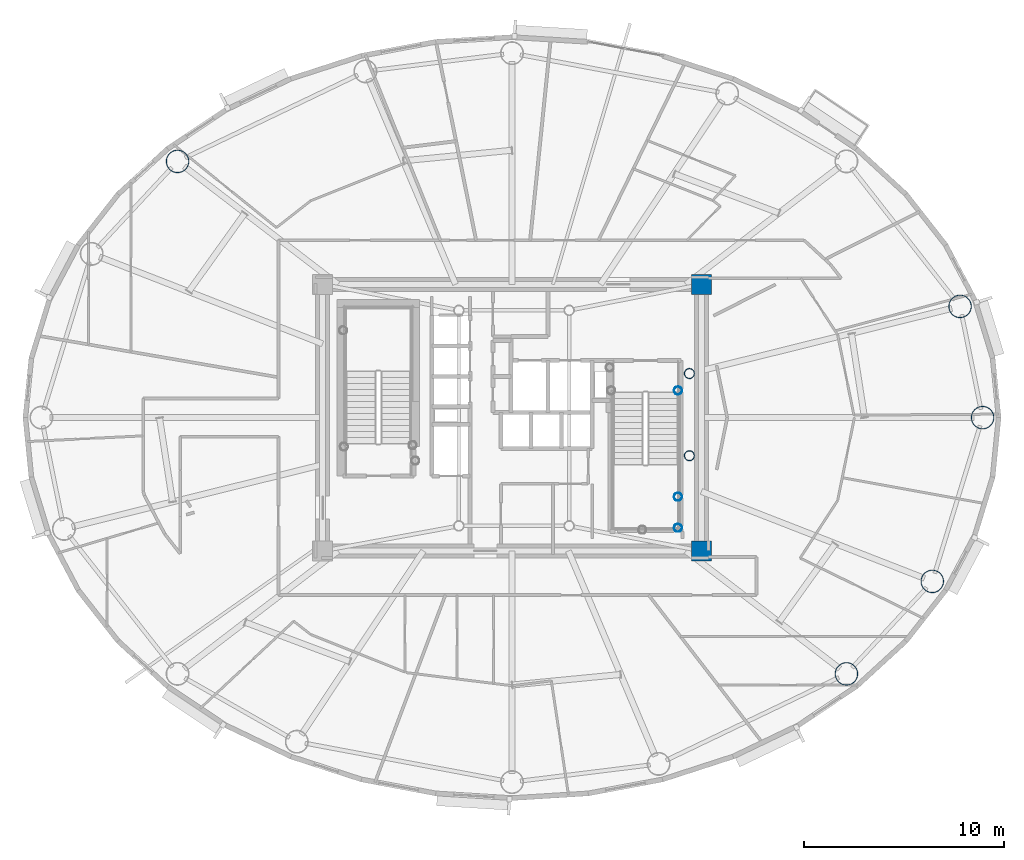
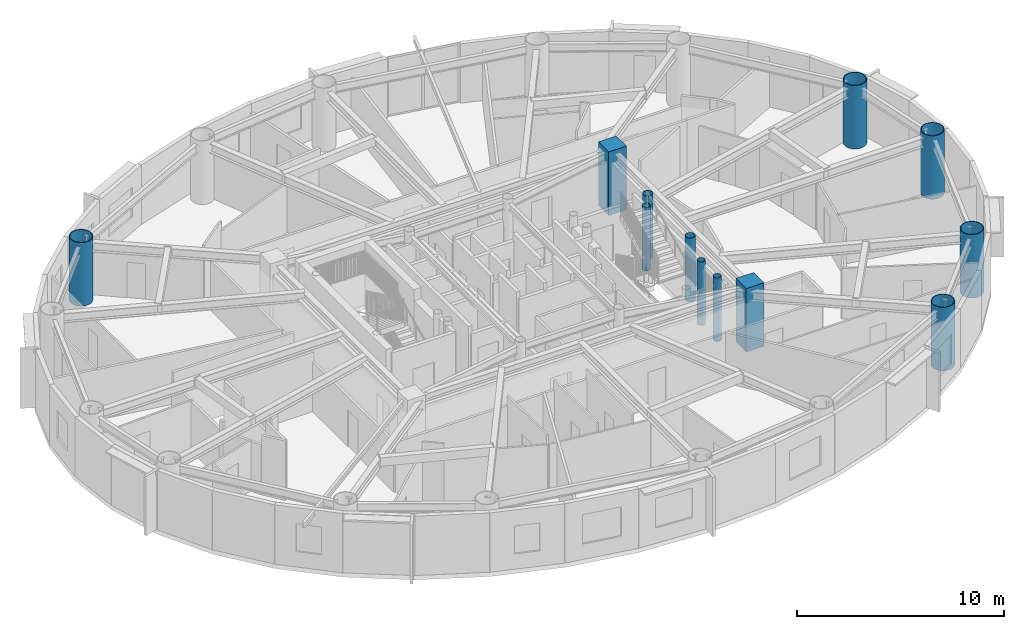
# One storey, part 2 of 21: 12 columns.
"""IFC4 building model written with IfcOpenShell, lengths in metres."""

from ifc_helpers import new_model, si_unit, direction, frame, origin, origin_2d, place, context, subcontext, project, spatial, rectangle, hollow_circle, extrude, material, material_profile, profile_set, type_object, element, save


model = new_model("IFC4")

# Units and contexts
model_context = context("Model", 3, precision=1e-05, world=origin(), true_north=direction((0.0, 1.0)))
body_context = subcontext(model_context, "Body", "Model", "MODEL_VIEW")
ifc_project = project(units=[si_unit("LENGTHUNIT", "METRE"), si_unit("AREAUNIT", "SQUARE_METRE"), si_unit("VOLUMEUNIT", "CUBIC_METRE"), si_unit("PLANEANGLEUNIT", "RADIAN"), si_unit("MASSUNIT", "GRAM", prefix="KILO")], contexts=[model_context])

# Site, building, storey
site_placement = place(None, origin())
site = spatial("IfcSite", under=ifc_project, at=site_placement, CompositionType="ELEMENT")
building_placement = place(site_placement, origin())
building = spatial("IfcBuilding", under=site, at=building_placement, Name="Linh Dai School and Residence Tower", CompositionType="ELEMENT")
storey_placement = place(building_placement, frame((0.0, 0.0, 229.050048828125)))
storey = spatial("IfcBuildingStorey", under=building, at=storey_placement, Name="L56", CompositionType="ELEMENT", Elevation=229.050048828125)

# Columns
ifc_material_1 = material(Name="Concrete B45 (C35/45)", Category="concrete")
ifc_material_profile_1 = material_profile(ifc_material_1, rectangle(XDim=1.0, YDim=1.0, at=origin_2d()), Name="RC 1000x1000")
ifc_profile_set_1 = profile_set([ifc_material_profile_1], Name="Concrete B45 (C35/45)")
column_type_1 = type_object("IfcColumnType", Name="COL-CC3", PredefinedType="COLUMN", material=ifc_profile_set_1)
for number, where, z_axis, x_axis, name in (
    (1, (45.449951171875, 20.35009765625, 0.0), (0.0, 0.0, 1.0), (1.0, 0.0, 0.0), "L56 Core Corner Pier CC2"),
    (2, (45.449951171875, 33.64990234375, 0.0), (0.0, 0.0, 1.0), (1.0, 0.0, 0.0), "L56 Core Corner Pier CC3"),
):
    element("IfcColumn", number, at=place(storey_placement, frame(where, z_axis=z_axis, x_axis=x_axis)), inside=storey, type_object=column_type_1, Name=name, PredefinedType="COLUMN", context=body_context, shape_type="SweptSolid", body=[
        extrude(rectangle(XDim=1.0, YDim=1.0, at=origin_2d()), origin(), (0.0, 0.0, 1.0), 3.75),
    ])
ifc_material_2 = material(Name="Structural Steel S355JR", Category="steel")
ifc_material_profile_2 = material_profile(ifc_material_2, hollow_circle(Radius=0.203125, WallThickness=0.01611328125, at=origin_2d()), Name="CHS 406.4x16")
ifc_profile_set_2 = profile_set([ifc_material_profile_2], Name="Structural Steel S355JR")
column_type_2 = type_object("IfcColumnType", Name="COL-EC", PredefinedType="COLUMN", material=ifc_profile_set_2)
for number, where, z_axis, x_axis, name in (
    (3, (44.280029296875, 21.5, 0.0), (0.0, 0.0, 1.0), (1.0, 0.0, 0.0), "L56 Stair Shaft Landing Support Pier ST2SE"),
    (4, (44.280029296875, 23.050048828125, 0.0), (0.0, 0.0, 1.0), (1.0, 0.0, 0.0), "L56 Stair Shaft Landing Support Pier ST2NE"),
    (5, (44.280029296875, 28.35009765625, 0.0), (0.0, 0.0, 1.0), (1.0, 0.0, 0.0), "L56 Stair Shaft Landing Support Pier ST2N2"),
):
    element("IfcColumn", number, at=place(storey_placement, frame(where, z_axis=z_axis, x_axis=x_axis)), inside=storey, type_object=column_type_2, Name=name, PredefinedType="COLUMN", context=body_context, shape_type="SweptSolid", body=[
        extrude(hollow_circle(Radius=0.203125, WallThickness=0.01611328125, at=origin_2d()), origin(), (0.0, 0.0, 1.0), 3.75),
    ])
ifc_material_profile_3 = material_profile(ifc_material_2, hollow_circle(Radius=0.574951171875, WallThickness=0.035888671875, at=origin_2d()), Name="CHS 1150x36")
ifc_profile_set_3 = profile_set([ifc_material_profile_3], Name="Structural Steel S355JR")
column_type_3 = type_object("IfcColumnType", Name="COL-MC5", PredefinedType="COLUMN", material=ifc_profile_set_3)
for number, where, z_axis, x_axis, name in (
    (6, (59.47509765625, 27.0, 0.0), (0.0, 0.0, 1.0), (1.0, 0.0, 0.0), "L56 Perimeter CFT Mega-Column MC01"),
    (7, (58.351318359375, 32.54931640625, 0.0), (0.0, 0.0, 1.0), (1.0, 0.0, 0.0), "L56 Perimeter CFT Mega-Column MC02"),
    (8, (19.31689453125, 39.781005859375, 0.0), (0.0, 0.0, 1.0), (1.0, 0.0, 0.0), "L56 Perimeter CFT Mega-Column MC07"),
    (9, (52.68310546875, 14.218994140625, 0.0), (0.0, 0.0, 1.0), (1.0, 0.0, 0.0), "L56 Perimeter CFT Mega-Column MC15"),
    (10, (56.96533203125, 18.8310546875, 0.0), (0.0, 0.0, 1.0), (1.0, 0.0, 0.0), "L56 Perimeter CFT Mega-Column MC16"),
):
    element("IfcColumn", number, at=place(storey_placement, frame(where, z_axis=z_axis, x_axis=x_axis)), inside=storey, type_object=column_type_3, Name=name, PredefinedType="COLUMN", context=body_context, shape_type="SweptSolid", body=[
        extrude(hollow_circle(Radius=0.574951171875, WallThickness=0.035888671875, at=origin_2d()), origin(), (0.0, 0.0, 1.0), 3.75),
    ])
ifc_material_profile_4 = material_profile(ifc_material_2, hollow_circle(Radius=0.25390625, WallThickness=0.02001953125, at=origin_2d()), Name="CHS 508x20")
ifc_profile_set_4 = profile_set([ifc_material_profile_4], Name="Structural Steel S355JR")
column_type_4 = type_object("IfcColumnType", Name="COL-MCP", PredefinedType="COLUMN", material=ifc_profile_set_4)
for number, where, z_axis, x_axis, name in (
    (11, (44.85009765625, 25.10009765625, 0.0), (0.0, 0.0, 1.0), (1.0, 0.0, 0.0), "L56 Sky-Lounge Core Anchor Pier S"),
    (12, (44.85009765625, 29.199951171875, 0.0), (0.0, 0.0, 1.0), (1.0, 0.0, 0.0), "L56 Sky-Lounge Core Anchor Pier N"),
):
    element("IfcColumn", number, at=place(storey_placement, frame(where, z_axis=z_axis, x_axis=x_axis)), inside=storey, type_object=column_type_4, Name=name, PredefinedType="COLUMN", context=body_context, shape_type="SweptSolid", body=[
        extrude(hollow_circle(Radius=0.25390625, WallThickness=0.02001953125, at=origin_2d()), origin(), (0.0, 0.0, 1.0), 3.75),
    ])

save(model, "model.ifc")
